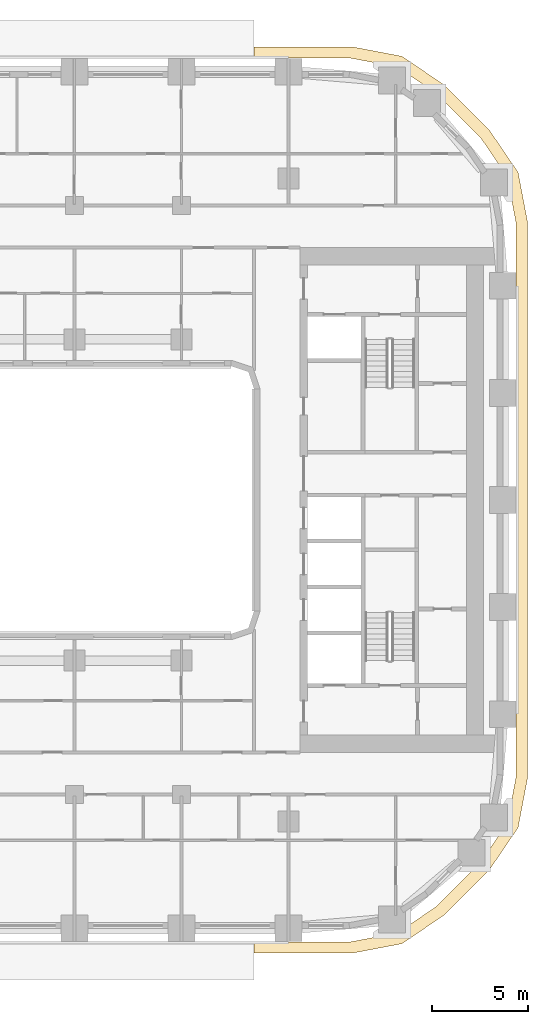
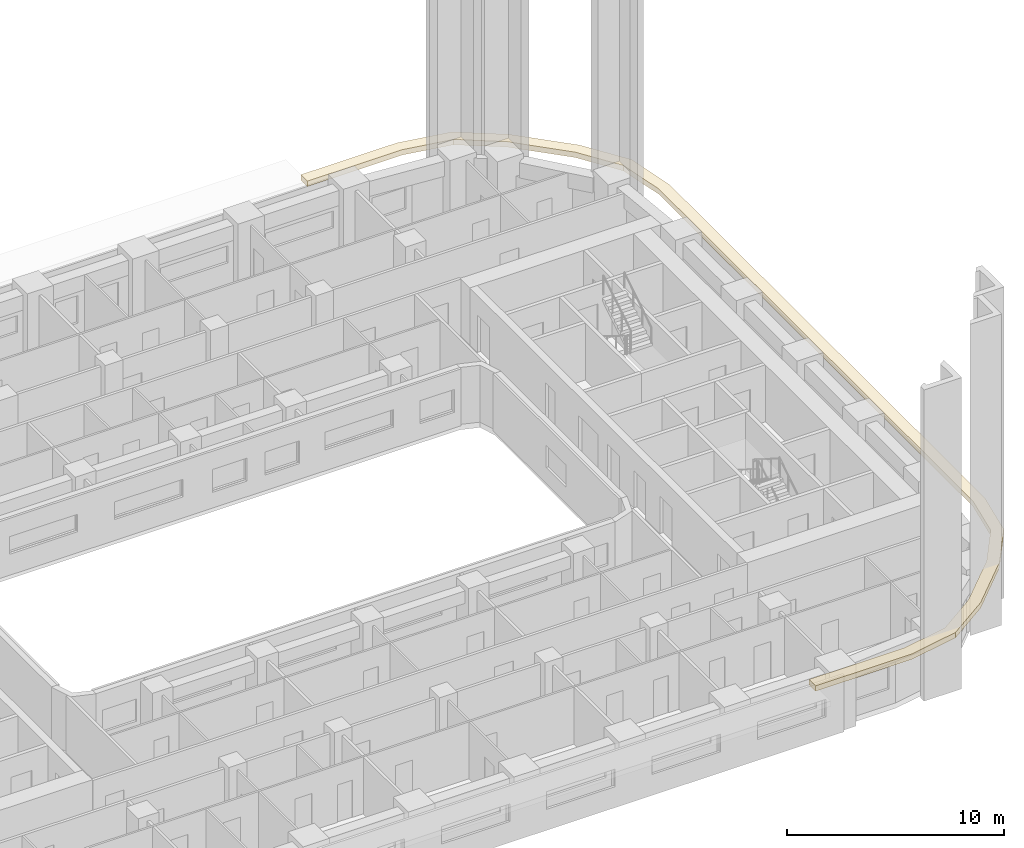
# One storey, part 18 of 22: 1 covering.
"""IFC4 building model written with IfcOpenShell, lengths in metres."""

from ifc_helpers import new_model, si_unit, direction, frame, origin, place, context, subcontext, project, spatial, polyline, outline, extrude, material, layer, layer_set, type_object, element, save


model = new_model("IFC4")

# Units and contexts
model_context = context("Model", 3, precision=1e-05, world=origin(), true_north=direction((0.0, 1.0)))
body_context = subcontext(model_context, "Body", "Model", "MODEL_VIEW")
ifc_project = project(units=[si_unit("LENGTHUNIT", "METRE"), si_unit("AREAUNIT", "SQUARE_METRE"), si_unit("VOLUMEUNIT", "CUBIC_METRE"), si_unit("PLANEANGLEUNIT", "RADIAN"), si_unit("MASSUNIT", "GRAM", prefix="KILO")], contexts=[model_context])

# Site, building, storey
site_placement = place(None, origin())
site = spatial("IfcSite", under=ifc_project, at=site_placement, CompositionType="ELEMENT")
building_placement = place(site_placement, origin())
building = spatial("IfcBuilding", under=site, at=building_placement, Name="Kiln Ring Residences", CompositionType="ELEMENT")
storey_placement = place(building_placement, frame((0.0, 0.0, 55.0)))
storey = spatial("IfcBuildingStorey", under=building, at=storey_placement, Name="L13", CompositionType="ELEMENT", Elevation=55.0)

# Covering
ifc_material = material(Name="Black powder-coated steel", Category="steel")
ifc_layer = layer(ifc_material, 0.300048828125)
ifc_layer_set = layer_set([ifc_layer], Name="SUNSHADE FIN 600")
covering_type = type_object("IfcCoveringType", Name="SUNSHADE FIN 600", PredefinedType="CLADDING", material=ifc_layer_set)
covering_placement = place(storey_placement, frame((0.0, 0.0, 3.199951171875)))
element("IfcCovering", 1, at=covering_placement, inside=storey, type_object=covering_type, Name="SUNSHADE FIN L13", PredefinedType="CLADDING", context=body_context, shape_type="SweptSolid", body=[
    extrude(outline(polyline([(20.122802734375, 23.699951171875), (15.0, 23.699951171875), (15.0, 23.10009765625), (20.066162109375, 23.10009765625), (22.497802734375, 22.63623046875), (24.545166015625, 21.24462890625), (26.8447265625, 18.9453125), (28.236083984375, 16.897705078125), (28.699951171875, 14.46630859375), (28.699951171875, -14.46630859375), (28.236083984375, -16.897705078125), (26.8447265625, -18.9453125), (24.545166015625, -21.24462890625), (22.497802734375, -22.63623046875), (20.066162109375, -23.10009765625), (15.0, -23.10009765625), (15.0, -23.699951171875), (20.122802734375, -23.699951171875), (22.732421875, -23.202392578125), (24.929443359375, -21.708984375), (27.30908203125, -19.329345703125), (28.80224609375, -17.13232421875), (29.300048828125, -14.52294921875), (29.300048828125, 14.52294921875), (28.80224609375, 17.13232421875), (27.30908203125, 19.329345703125), (24.929443359375, 21.708984375), (22.732421875, 23.202392578125), (20.122802734375, 23.699951171875)])), origin(), (0.0, 0.0, 1.0), 0.300048828125),
])

save(model, "model.ifc")
